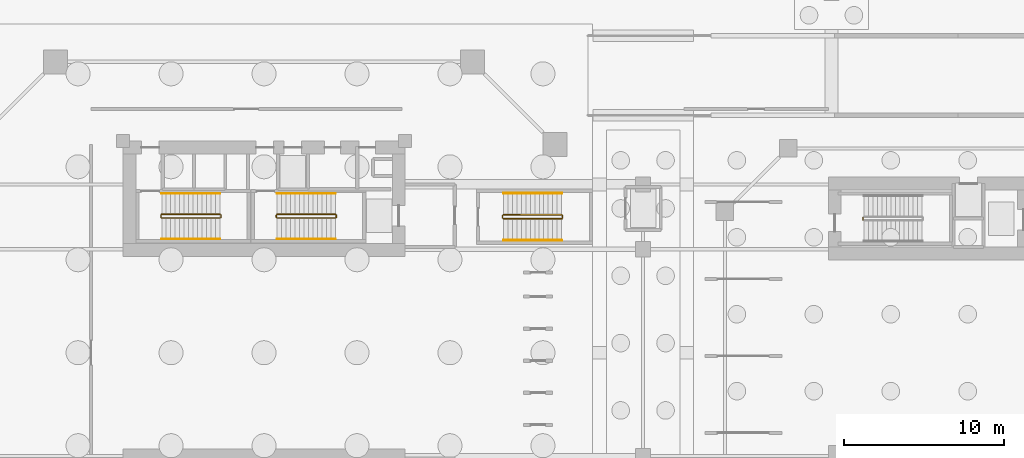
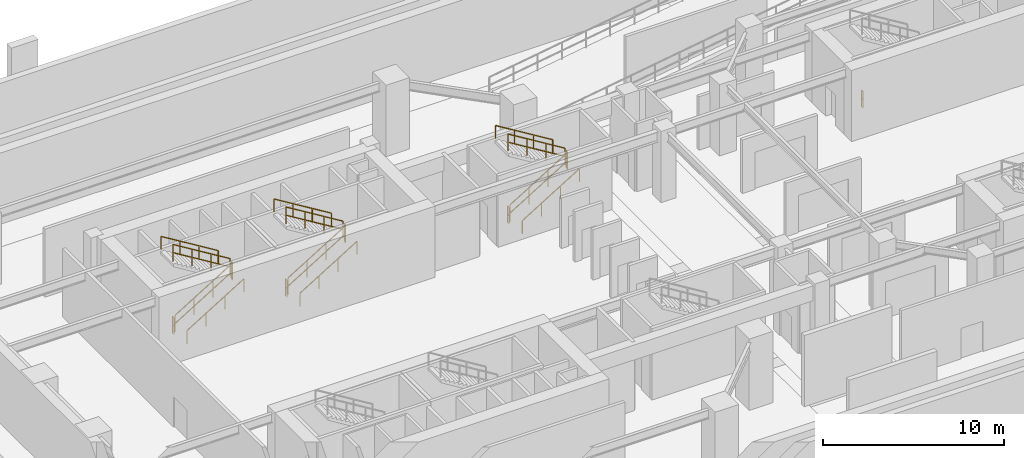
# One storey, part 11 of 13: 19 railings.
"""IFC4 building model written with IfcOpenShell, lengths in metres."""

from ifc_helpers import new_model, si_unit, direction, frame, origin, origin_2d, place, context, subcontext, project, spatial, rectangle, extrude, material, type_object, element, save


model = new_model("IFC4")

# Units and contexts
model_context = context("Model", 3, precision=1e-05, world=origin(), true_north=direction((0.0, 1.0)))
body_context = subcontext(model_context, "Body", "Model", "MODEL_VIEW")
ifc_project = project(units=[si_unit("LENGTHUNIT", "METRE"), si_unit("AREAUNIT", "SQUARE_METRE"), si_unit("VOLUMEUNIT", "CUBIC_METRE"), si_unit("PLANEANGLEUNIT", "RADIAN"), si_unit("MASSUNIT", "GRAM", prefix="KILO"), si_unit("THERMODYNAMICTEMPERATUREUNIT", "KELVIN"), si_unit("POWERUNIT", "WATT")], contexts=[model_context])

# Site, building, storey
site_placement = place(None, origin())
site = spatial("IfcSite", under=ifc_project, at=site_placement, CompositionType="ELEMENT")
building_placement = place(site_placement, origin())
building = spatial("IfcBuilding", under=site, at=building_placement, Name="Qiaomeng Ring Towers", CompositionType="ELEMENT")
storey_placement = place(building_placement, frame((0.0, 0.0, -9.60009765625)))
storey = spatial("IfcBuildingStorey", under=building, at=storey_placement, Name="B2", CompositionType="ELEMENT", Elevation=-9.60009765625)

# Railings
ifc_material_1 = material(Name="Galvanised steel", Category="steel")
railing_type_1 = type_object("IfcRailingType", Name="ARC-RL-GUARD", PredefinedType="GUARDRAIL", material=ifc_material_1)
railing_1_placement = place(storey_placement, frame((12.6201171875, 31.39990234375, 0.171630859375)))
element("IfcRailing", 1, at=railing_1_placement, inside=storey, type_object=railing_type_1, Name="B2 ST1 stair guard 1", PredefinedType="GUARDRAIL", context=body_context, shape_type="SweptSolid", body=[
    extrude(rectangle(XDim=0.048095703125, YDim=0.048095703125, at=origin_2d()), frame((0.0, 0.0, 1.1259765625), z_axis=(0.852850264322, 0.0, 0.5221555579), x_axis=(0.0, 1.0, 0.0)), (0.0, 0.0, 1.0), 4.267822265625),
    extrude(rectangle(XDim=0.048095703125, YDim=0.048095703125, at=origin_2d()), frame((0.0, 0.0, 0.574951171875), z_axis=(0.852850264322, 0.0, 0.5221555579), x_axis=(0.0, 1.0, 0.0)), (0.0, 0.0, 1.0), 4.267822265625),
    extrude(rectangle(XDim=0.0419921875, YDim=0.0419921875, at=origin_2d()), origin(), (0.0, 0.0, 1.0), 1.101806640625),
    extrude(rectangle(XDim=0.0419921875, YDim=0.0419921875, at=origin_2d()), frame((1.21337890625, 0.0, 0.742919921875)), (0.0, 0.0, 1.0), 1.101806640625),
    extrude(rectangle(XDim=0.0419921875, YDim=0.0419921875, at=origin_2d()), frame((2.426513671875, 0.0, 1.485595703125)), (0.0, 0.0, 1.0), 1.101806640625),
    extrude(rectangle(XDim=0.0419921875, YDim=0.0419921875, at=origin_2d()), frame((3.639892578125, 0.0, 2.228515625)), (0.0, 0.0, 1.0), 1.101806640625),
])
railing_2_placement = place(storey_placement, frame((16.31005859375, 31.449951171875, 2.400146484375)))
element("IfcRailing", 2, at=railing_2_placement, inside=storey, type_object=railing_type_1, Name="B2 ST1 stair guard 2", PredefinedType="GUARDRAIL", context=body_context, shape_type="SweptSolid", body=[
    extrude(rectangle(XDim=0.048095703125, YDim=0.048095703125, at=origin_2d()), frame((0.0, 0.0, 1.1259765625), z_axis=(0.0, 1.0, 0.0), x_axis=(-1.0, 0.0, 0.0)), (0.0, 0.0, 1.0), 0.14013671875),
    extrude(rectangle(XDim=0.048095703125, YDim=0.048095703125, at=origin_2d()), frame((0.0, 0.0, 0.574951171875), z_axis=(0.0, 1.0, 0.0), x_axis=(-1.0, 0.0, 0.0)), (0.0, 0.0, 1.0), 0.14013671875),
    extrude(rectangle(XDim=0.0419921875, YDim=0.0419921875, at=origin_2d()), origin(), (0.0, 0.0, 1.0), 1.101806640625),
    extrude(rectangle(XDim=0.0419921875, YDim=0.0419921875, at=origin_2d()), frame((0.0, 0.14013671875, 0.0)), (0.0, 0.0, 1.0), 1.101806640625),
])
railing_3_placement = place(storey_placement, frame((16.260009765625, 31.639892578125, 2.571533203125)))
element("IfcRailing", 3, at=railing_3_placement, inside=storey, type_object=railing_type_1, Name="B2 ST1 stair guard 3", PredefinedType="GUARDRAIL", context=body_context, shape_type="SweptSolid", body=[
    extrude(rectangle(XDim=0.048095703125, YDim=0.048095703125, at=origin_2d()), frame((0.0, 0.0, 1.1259765625), z_axis=(-0.852850264322, 0.0, 0.5221555579), x_axis=(0.0, -1.0, 0.0)), (0.0, 0.0, 1.0), 4.267822265625),
    extrude(rectangle(XDim=0.048095703125, YDim=0.048095703125, at=origin_2d()), frame((0.0, 0.0, 0.574951171875), z_axis=(-0.852850264322, 0.0, 0.5221555579), x_axis=(0.0, -1.0, 0.0)), (0.0, 0.0, 1.0), 4.267822265625),
    extrude(rectangle(XDim=0.0419921875, YDim=0.0419921875, at=origin_2d()), origin(), (0.0, 0.0, 1.0), 1.101806640625),
    extrude(rectangle(XDim=0.0419921875, YDim=0.0419921875, at=origin_2d()), frame((-1.21337890625, 0.0, 0.742919921875)), (0.0, 0.0, 1.0), 1.101806640625),
    extrude(rectangle(XDim=0.0419921875, YDim=0.0419921875, at=origin_2d()), frame((-2.426513671875, 0.0, 1.485595703125)), (0.0, 0.0, 1.0), 1.101806640625),
    extrude(rectangle(XDim=0.0419921875, YDim=0.0419921875, at=origin_2d()), frame((-3.639892578125, 0.0, 2.228515625)), (0.0, 0.0, 1.0), 1.101806640625),
])
railing_4_placement = place(storey_placement, frame((12.570068359375, 31.449951171875, 0.0)))
element("IfcRailing", 4, at=railing_4_placement, inside=storey, type_object=railing_type_1, Name="B2 ST1 stair guard 4", PredefinedType="GUARDRAIL", context=body_context, shape_type="SweptSolid", body=[
    extrude(rectangle(XDim=0.048095703125, YDim=0.048095703125, at=origin_2d()), frame((0.0, 0.0, 1.1259765625), z_axis=(0.0, 1.0, 0.0), x_axis=(-1.0, 0.0, 0.0)), (0.0, 0.0, 1.0), 0.14013671875),
    extrude(rectangle(XDim=0.048095703125, YDim=0.048095703125, at=origin_2d()), frame((0.0, 0.0, 0.574951171875), z_axis=(0.0, 1.0, 0.0), x_axis=(-1.0, 0.0, 0.0)), (0.0, 0.0, 1.0), 0.14013671875),
    extrude(rectangle(XDim=0.0419921875, YDim=0.0419921875, at=origin_2d()), origin(), (0.0, 0.0, 1.0), 1.101806640625),
    extrude(rectangle(XDim=0.0419921875, YDim=0.0419921875, at=origin_2d()), frame((0.0, 0.14013671875, 0.0)), (0.0, 0.0, 1.0), 1.101806640625),
])
railing_5_placement = place(storey_placement, frame((19.820068359375, 31.39990234375, 0.171630859375)))
element("IfcRailing", 5, at=railing_5_placement, inside=storey, type_object=railing_type_1, Name="B2 ST2 stair guard 1", PredefinedType="GUARDRAIL", context=body_context, shape_type="SweptSolid", body=[
    extrude(rectangle(XDim=0.048095703125, YDim=0.048095703125, at=origin_2d()), frame((0.0, 0.0, 1.1259765625), z_axis=(0.852850264322, 0.0, 0.5221555579), x_axis=(0.0, 1.0, 0.0)), (0.0, 0.0, 1.0), 4.267822265625),
    extrude(rectangle(XDim=0.048095703125, YDim=0.048095703125, at=origin_2d()), frame((0.0, 0.0, 0.574951171875), z_axis=(0.852850264322, 0.0, 0.5221555579), x_axis=(0.0, 1.0, 0.0)), (0.0, 0.0, 1.0), 4.267822265625),
    extrude(rectangle(XDim=0.0419921875, YDim=0.0419921875, at=origin_2d()), origin(), (0.0, 0.0, 1.0), 1.101806640625),
    extrude(rectangle(XDim=0.0419921875, YDim=0.0419921875, at=origin_2d()), frame((1.21337890625, 0.0, 0.742919921875)), (0.0, 0.0, 1.0), 1.101806640625),
    extrude(rectangle(XDim=0.0419921875, YDim=0.0419921875, at=origin_2d()), frame((2.426513671875, 0.0, 1.485595703125)), (0.0, 0.0, 1.0), 1.101806640625),
    extrude(rectangle(XDim=0.0419921875, YDim=0.0419921875, at=origin_2d()), frame((3.639892578125, 0.0, 2.228515625)), (0.0, 0.0, 1.0), 1.101806640625),
])
railing_6_placement = place(storey_placement, frame((23.510009765625, 31.449951171875, 2.400146484375)))
element("IfcRailing", 6, at=railing_6_placement, inside=storey, type_object=railing_type_1, Name="B2 ST2 stair guard 2", PredefinedType="GUARDRAIL", context=body_context, shape_type="SweptSolid", body=[
    extrude(rectangle(XDim=0.048095703125, YDim=0.048095703125, at=origin_2d()), frame((0.0, 0.0, 1.1259765625), z_axis=(0.0, 1.0, 0.0), x_axis=(-1.0, 0.0, 0.0)), (0.0, 0.0, 1.0), 0.14013671875),
    extrude(rectangle(XDim=0.048095703125, YDim=0.048095703125, at=origin_2d()), frame((0.0, 0.0, 0.574951171875), z_axis=(0.0, 1.0, 0.0), x_axis=(-1.0, 0.0, 0.0)), (0.0, 0.0, 1.0), 0.14013671875),
    extrude(rectangle(XDim=0.0419921875, YDim=0.0419921875, at=origin_2d()), origin(), (0.0, 0.0, 1.0), 1.101806640625),
    extrude(rectangle(XDim=0.0419921875, YDim=0.0419921875, at=origin_2d()), frame((0.0, 0.14013671875, 0.0)), (0.0, 0.0, 1.0), 1.101806640625),
])
railing_7_placement = place(storey_placement, frame((23.4599609375, 31.639892578125, 2.571533203125)))
element("IfcRailing", 7, at=railing_7_placement, inside=storey, type_object=railing_type_1, Name="B2 ST2 stair guard 3", PredefinedType="GUARDRAIL", context=body_context, shape_type="SweptSolid", body=[
    extrude(rectangle(XDim=0.048095703125, YDim=0.048095703125, at=origin_2d()), frame((0.0, 0.0, 1.1259765625), z_axis=(-0.852850264322, 0.0, 0.5221555579), x_axis=(0.0, -1.0, 0.0)), (0.0, 0.0, 1.0), 4.267822265625),
    extrude(rectangle(XDim=0.048095703125, YDim=0.048095703125, at=origin_2d()), frame((0.0, 0.0, 0.574951171875), z_axis=(-0.852850264322, 0.0, 0.5221555579), x_axis=(0.0, -1.0, 0.0)), (0.0, 0.0, 1.0), 4.267822265625),
    extrude(rectangle(XDim=0.0419921875, YDim=0.0419921875, at=origin_2d()), origin(), (0.0, 0.0, 1.0), 1.101806640625),
    extrude(rectangle(XDim=0.0419921875, YDim=0.0419921875, at=origin_2d()), frame((-1.21337890625, 0.0, 0.742919921875)), (0.0, 0.0, 1.0), 1.101806640625),
    extrude(rectangle(XDim=0.0419921875, YDim=0.0419921875, at=origin_2d()), frame((-2.426513671875, 0.0, 1.485595703125)), (0.0, 0.0, 1.0), 1.101806640625),
    extrude(rectangle(XDim=0.0419921875, YDim=0.0419921875, at=origin_2d()), frame((-3.639892578125, 0.0, 2.228515625)), (0.0, 0.0, 1.0), 1.101806640625),
])
railing_8_placement = place(storey_placement, frame((19.77001953125, 31.449951171875, 0.0)))
element("IfcRailing", 8, at=railing_8_placement, inside=storey, type_object=railing_type_1, Name="B2 ST2 stair guard 4", PredefinedType="GUARDRAIL", context=body_context, shape_type="SweptSolid", body=[
    extrude(rectangle(XDim=0.048095703125, YDim=0.048095703125, at=origin_2d()), frame((0.0, 0.0, 1.1259765625), z_axis=(0.0, 1.0, 0.0), x_axis=(-1.0, 0.0, 0.0)), (0.0, 0.0, 1.0), 0.14013671875),
    extrude(rectangle(XDim=0.048095703125, YDim=0.048095703125, at=origin_2d()), frame((0.0, 0.0, 0.574951171875), z_axis=(0.0, 1.0, 0.0), x_axis=(-1.0, 0.0, 0.0)), (0.0, 0.0, 1.0), 0.14013671875),
    extrude(rectangle(XDim=0.0419921875, YDim=0.0419921875, at=origin_2d()), origin(), (0.0, 0.0, 1.0), 1.101806640625),
    extrude(rectangle(XDim=0.0419921875, YDim=0.0419921875, at=origin_2d()), frame((0.0, 0.14013671875, 0.0)), (0.0, 0.0, 1.0), 1.101806640625),
])
railing_9_placement = place(storey_placement, frame((56.3701171875, 31.300048828125, 0.0)))
element("IfcRailing", 9, at=railing_9_placement, inside=storey, type_object=railing_type_1, Name="B2 ST5 stair guard 4", PredefinedType="GUARDRAIL", context=body_context, shape_type="SweptSolid", body=[
    extrude(rectangle(XDim=0.048095703125, YDim=0.048095703125, at=origin_2d()), frame((0.0, 0.0, 1.1259765625), z_axis=(0.0, 1.0, 0.0), x_axis=(-1.0, 0.0, 0.0)), (0.0, 0.0, 1.0), 0.139892578125),
    extrude(rectangle(XDim=0.048095703125, YDim=0.048095703125, at=origin_2d()), frame((0.0, 0.0, 0.574951171875), z_axis=(0.0, 1.0, 0.0), x_axis=(-1.0, 0.0, 0.0)), (0.0, 0.0, 1.0), 0.139892578125),
    extrude(rectangle(XDim=0.0419921875, YDim=0.0419921875, at=origin_2d()), origin(), (0.0, 0.0, 1.0), 1.101806640625),
    extrude(rectangle(XDim=0.0419921875, YDim=0.0419921875, at=origin_2d()), frame((0.0, 0.139892578125, 0.0)), (0.0, 0.0, 1.0), 1.101806640625),
])
railing_10_placement = place(storey_placement, frame((33.929931640625, 31.360107421875, 0.171630859375)))
element("IfcRailing", 10, at=railing_10_placement, inside=storey, type_object=railing_type_1, Name="B2 ST7 stair guard 1", PredefinedType="GUARDRAIL", context=body_context, shape_type="SweptSolid", body=[
    extrude(rectangle(XDim=0.048095703125, YDim=0.048095703125, at=origin_2d()), frame((0.0, 0.0, 1.1259765625), z_axis=(0.852865859571, 0.0, 0.52213008492), x_axis=(0.0, 1.0, 0.0)), (0.0, 0.0, 1.0), 4.26806640625),
    extrude(rectangle(XDim=0.048095703125, YDim=0.048095703125, at=origin_2d()), frame((0.0, 0.0, 0.574951171875), z_axis=(0.852865859571, 0.0, 0.52213008492), x_axis=(0.0, 1.0, 0.0)), (0.0, 0.0, 1.0), 4.26806640625),
    extrude(rectangle(XDim=0.0419921875, YDim=0.0419921875, at=origin_2d()), origin(), (0.0, 0.0, 1.0), 1.101806640625),
    extrude(rectangle(XDim=0.0419921875, YDim=0.0419921875, at=origin_2d()), frame((1.21337890625, 0.0, 0.742919921875)), (0.0, 0.0, 1.0), 1.101806640625),
    extrude(rectangle(XDim=0.0419921875, YDim=0.0419921875, at=origin_2d()), frame((2.4267578125, 0.0, 1.485595703125)), (0.0, 0.0, 1.0), 1.101806640625),
    extrude(rectangle(XDim=0.0419921875, YDim=0.0419921875, at=origin_2d()), frame((3.64013671875, 0.0, 2.228515625)), (0.0, 0.0, 1.0), 1.101806640625),
])
railing_11_placement = place(storey_placement, frame((37.6201171875, 31.409912109375, 2.400146484375)))
element("IfcRailing", 11, at=railing_11_placement, inside=storey, type_object=railing_type_1, Name="B2 ST7 stair guard 2", PredefinedType="GUARDRAIL", context=body_context, shape_type="SweptSolid", body=[
    extrude(rectangle(XDim=0.048095703125, YDim=0.048095703125, at=origin_2d()), frame((0.0, 0.0, 1.1259765625), z_axis=(0.0, 1.0, 0.0), x_axis=(-1.0, 0.0, 0.0)), (0.0, 0.0, 1.0), 0.14013671875),
    extrude(rectangle(XDim=0.048095703125, YDim=0.048095703125, at=origin_2d()), frame((0.0, 0.0, 0.574951171875), z_axis=(0.0, 1.0, 0.0), x_axis=(-1.0, 0.0, 0.0)), (0.0, 0.0, 1.0), 0.14013671875),
    extrude(rectangle(XDim=0.0419921875, YDim=0.0419921875, at=origin_2d()), origin(), (0.0, 0.0, 1.0), 1.101806640625),
    extrude(rectangle(XDim=0.0419921875, YDim=0.0419921875, at=origin_2d()), frame((0.0, 0.14013671875, 0.0)), (0.0, 0.0, 1.0), 1.101806640625),
])
railing_12_placement = place(storey_placement, frame((37.570068359375, 31.60009765625, 2.571533203125)))
element("IfcRailing", 12, at=railing_12_placement, inside=storey, type_object=railing_type_1, Name="B2 ST7 stair guard 3", PredefinedType="GUARDRAIL", context=body_context, shape_type="SweptSolid", body=[
    extrude(rectangle(XDim=0.048095703125, YDim=0.048095703125, at=origin_2d()), frame((0.0, 0.0, 1.1259765625), z_axis=(-0.852865859571, 0.0, 0.52213008492), x_axis=(0.0, -1.0, 0.0)), (0.0, 0.0, 1.0), 4.26806640625),
    extrude(rectangle(XDim=0.048095703125, YDim=0.048095703125, at=origin_2d()), frame((0.0, 0.0, 0.574951171875), z_axis=(-0.852865859571, 0.0, 0.52213008492), x_axis=(0.0, -1.0, 0.0)), (0.0, 0.0, 1.0), 4.26806640625),
    extrude(rectangle(XDim=0.0419921875, YDim=0.0419921875, at=origin_2d()), origin(), (0.0, 0.0, 1.0), 1.101806640625),
    extrude(rectangle(XDim=0.0419921875, YDim=0.0419921875, at=origin_2d()), frame((-1.21337890625, 0.0, 0.742919921875)), (0.0, 0.0, 1.0), 1.101806640625),
    extrude(rectangle(XDim=0.0419921875, YDim=0.0419921875, at=origin_2d()), frame((-2.4267578125, 0.0, 1.485595703125)), (0.0, 0.0, 1.0), 1.101806640625),
    extrude(rectangle(XDim=0.0419921875, YDim=0.0419921875, at=origin_2d()), frame((-3.64013671875, 0.0, 2.228515625)), (0.0, 0.0, 1.0), 1.101806640625),
])
railing_13_placement = place(storey_placement, frame((33.8798828125, 31.409912109375, 0.0)))
element("IfcRailing", 13, at=railing_13_placement, inside=storey, type_object=railing_type_1, Name="B2 ST7 stair guard 4", PredefinedType="GUARDRAIL", context=body_context, shape_type="SweptSolid", body=[
    extrude(rectangle(XDim=0.048095703125, YDim=0.048095703125, at=origin_2d()), frame((0.0, 0.0, 1.1259765625), z_axis=(0.0, 1.0, 0.0), x_axis=(-1.0, 0.0, 0.0)), (0.0, 0.0, 1.0), 0.14013671875),
    extrude(rectangle(XDim=0.048095703125, YDim=0.048095703125, at=origin_2d()), frame((0.0, 0.0, 0.574951171875), z_axis=(0.0, 1.0, 0.0), x_axis=(-1.0, 0.0, 0.0)), (0.0, 0.0, 1.0), 0.14013671875),
    extrude(rectangle(XDim=0.0419921875, YDim=0.0419921875, at=origin_2d()), origin(), (0.0, 0.0, 1.0), 1.101806640625),
    extrude(rectangle(XDim=0.0419921875, YDim=0.0419921875, at=origin_2d()), frame((0.0, 0.14013671875, 0.0)), (0.0, 0.0, 1.0), 1.101806640625),
])
ifc_material_2 = material(Name="Stainless steel 316", Category="steel")
railing_type_2 = type_object("IfcRailingType", Name="ARC-RL-HAND", PredefinedType="HANDRAIL", material=ifc_material_2)
railing_14_placement = place(storey_placement, frame((12.6201171875, 30.10009765625, 0.171630859375)))
element("IfcRailing", 14, at=railing_14_placement, inside=storey, type_object=railing_type_2, Name="B2 ST1 stair handrail 1", PredefinedType="HANDRAIL", context=body_context, shape_type="SweptSolid", body=[
    extrude(rectangle(XDim=0.048095703125, YDim=0.048095703125, at=origin_2d()), frame((0.0, 0.0, 0.8759765625), z_axis=(0.852850264322, 0.0, 0.5221555579), x_axis=(0.0, 1.0, 0.0)), (0.0, 0.0, 1.0), 4.267822265625),
    extrude(rectangle(XDim=0.0419921875, YDim=0.0419921875, at=origin_2d()), origin(), (0.0, 0.0, 1.0), 0.851806640625),
    extrude(rectangle(XDim=0.0419921875, YDim=0.0419921875, at=origin_2d()), frame((1.21337890625, 0.0, 0.742919921875)), (0.0, 0.0, 1.0), 0.851806640625),
    extrude(rectangle(XDim=0.0419921875, YDim=0.0419921875, at=origin_2d()), frame((2.426513671875, 0.0, 1.485595703125)), (0.0, 0.0, 1.0), 0.851806640625),
    extrude(rectangle(XDim=0.0419921875, YDim=0.0419921875, at=origin_2d()), frame((3.639892578125, 0.0, 2.228515625)), (0.0, 0.0, 1.0), 0.851806640625),
])
railing_15_placement = place(storey_placement, frame((16.260009765625, 32.93994140625, 2.571533203125)))
element("IfcRailing", 15, at=railing_15_placement, inside=storey, type_object=railing_type_2, Name="B2 ST1 stair handrail 2", PredefinedType="HANDRAIL", context=body_context, shape_type="SweptSolid", body=[
    extrude(rectangle(XDim=0.048095703125, YDim=0.048095703125, at=origin_2d()), frame((0.0, 0.0, 0.8759765625), z_axis=(-0.852850264322, 0.0, 0.5221555579), x_axis=(0.0, -1.0, 0.0)), (0.0, 0.0, 1.0), 4.267822265625),
    extrude(rectangle(XDim=0.0419921875, YDim=0.0419921875, at=origin_2d()), origin(), (0.0, 0.0, 1.0), 0.851806640625),
    extrude(rectangle(XDim=0.0419921875, YDim=0.0419921875, at=origin_2d()), frame((-1.21337890625, 0.0, 0.742919921875)), (0.0, 0.0, 1.0), 0.851806640625),
    extrude(rectangle(XDim=0.0419921875, YDim=0.0419921875, at=origin_2d()), frame((-2.426513671875, 0.0, 1.485595703125)), (0.0, 0.0, 1.0), 0.851806640625),
    extrude(rectangle(XDim=0.0419921875, YDim=0.0419921875, at=origin_2d()), frame((-3.639892578125, 0.0, 2.228515625)), (0.0, 0.0, 1.0), 0.851806640625),
])
railing_16_placement = place(storey_placement, frame((19.820068359375, 30.10009765625, 0.171630859375)))
element("IfcRailing", 16, at=railing_16_placement, inside=storey, type_object=railing_type_2, Name="B2 ST2 stair handrail 1", PredefinedType="HANDRAIL", context=body_context, shape_type="SweptSolid", body=[
    extrude(rectangle(XDim=0.048095703125, YDim=0.048095703125, at=origin_2d()), frame((0.0, 0.0, 0.8759765625), z_axis=(0.852850264322, 0.0, 0.5221555579), x_axis=(0.0, 1.0, 0.0)), (0.0, 0.0, 1.0), 4.267822265625),
    extrude(rectangle(XDim=0.0419921875, YDim=0.0419921875, at=origin_2d()), origin(), (0.0, 0.0, 1.0), 0.851806640625),
    extrude(rectangle(XDim=0.0419921875, YDim=0.0419921875, at=origin_2d()), frame((1.21337890625, 0.0, 0.742919921875)), (0.0, 0.0, 1.0), 0.851806640625),
    extrude(rectangle(XDim=0.0419921875, YDim=0.0419921875, at=origin_2d()), frame((2.426513671875, 0.0, 1.485595703125)), (0.0, 0.0, 1.0), 0.851806640625),
    extrude(rectangle(XDim=0.0419921875, YDim=0.0419921875, at=origin_2d()), frame((3.639892578125, 0.0, 2.228515625)), (0.0, 0.0, 1.0), 0.851806640625),
])
railing_17_placement = place(storey_placement, frame((23.4599609375, 32.93994140625, 2.571533203125)))
element("IfcRailing", 17, at=railing_17_placement, inside=storey, type_object=railing_type_2, Name="B2 ST2 stair handrail 2", PredefinedType="HANDRAIL", context=body_context, shape_type="SweptSolid", body=[
    extrude(rectangle(XDim=0.048095703125, YDim=0.048095703125, at=origin_2d()), frame((0.0, 0.0, 0.8759765625), z_axis=(-0.852850264322, 0.0, 0.5221555579), x_axis=(0.0, -1.0, 0.0)), (0.0, 0.0, 1.0), 4.267822265625),
    extrude(rectangle(XDim=0.0419921875, YDim=0.0419921875, at=origin_2d()), origin(), (0.0, 0.0, 1.0), 0.851806640625),
    extrude(rectangle(XDim=0.0419921875, YDim=0.0419921875, at=origin_2d()), frame((-1.21337890625, 0.0, 0.742919921875)), (0.0, 0.0, 1.0), 0.851806640625),
    extrude(rectangle(XDim=0.0419921875, YDim=0.0419921875, at=origin_2d()), frame((-2.426513671875, 0.0, 1.485595703125)), (0.0, 0.0, 1.0), 0.851806640625),
    extrude(rectangle(XDim=0.0419921875, YDim=0.0419921875, at=origin_2d()), frame((-3.639892578125, 0.0, 2.228515625)), (0.0, 0.0, 1.0), 0.851806640625),
])
railing_18_placement = place(storey_placement, frame((33.929931640625, 30.010009765625, 0.171630859375)))
element("IfcRailing", 18, at=railing_18_placement, inside=storey, type_object=railing_type_2, Name="B2 ST7 stair handrail 1", PredefinedType="HANDRAIL", context=body_context, shape_type="SweptSolid", body=[
    extrude(rectangle(XDim=0.048095703125, YDim=0.048095703125, at=origin_2d()), frame((0.0, 0.0, 0.8759765625), z_axis=(0.852865859571, 0.0, 0.52213008492), x_axis=(0.0, 1.0, 0.0)), (0.0, 0.0, 1.0), 4.26806640625),
    extrude(rectangle(XDim=0.0419921875, YDim=0.0419921875, at=origin_2d()), origin(), (0.0, 0.0, 1.0), 0.851806640625),
    extrude(rectangle(XDim=0.0419921875, YDim=0.0419921875, at=origin_2d()), frame((1.21337890625, 0.0, 0.742919921875)), (0.0, 0.0, 1.0), 0.851806640625),
    extrude(rectangle(XDim=0.0419921875, YDim=0.0419921875, at=origin_2d()), frame((2.4267578125, 0.0, 1.485595703125)), (0.0, 0.0, 1.0), 0.851806640625),
    extrude(rectangle(XDim=0.0419921875, YDim=0.0419921875, at=origin_2d()), frame((3.64013671875, 0.0, 2.228515625)), (0.0, 0.0, 1.0), 0.851806640625),
])
railing_19_placement = place(storey_placement, frame((37.570068359375, 32.949951171875, 2.571533203125)))
element("IfcRailing", 19, at=railing_19_placement, inside=storey, type_object=railing_type_2, Name="B2 ST7 stair handrail 2", PredefinedType="HANDRAIL", context=body_context, shape_type="SweptSolid", body=[
    extrude(rectangle(XDim=0.048095703125, YDim=0.048095703125, at=origin_2d()), frame((0.0, 0.0, 0.8759765625), z_axis=(-0.852865859571, 0.0, 0.52213008492), x_axis=(0.0, -1.0, 0.0)), (0.0, 0.0, 1.0), 4.26806640625),
    extrude(rectangle(XDim=0.0419921875, YDim=0.0419921875, at=origin_2d()), origin(), (0.0, 0.0, 1.0), 0.851806640625),
    extrude(rectangle(XDim=0.0419921875, YDim=0.0419921875, at=origin_2d()), frame((-1.21337890625, 0.0, 0.742919921875)), (0.0, 0.0, 1.0), 0.851806640625),
    extrude(rectangle(XDim=0.0419921875, YDim=0.0419921875, at=origin_2d()), frame((-2.4267578125, 0.0, 1.485595703125)), (0.0, 0.0, 1.0), 0.851806640625),
    extrude(rectangle(XDim=0.0419921875, YDim=0.0419921875, at=origin_2d()), frame((-3.64013671875, 0.0, 2.228515625)), (0.0, 0.0, 1.0), 0.851806640625),
])

save(model, "model.ifc")
